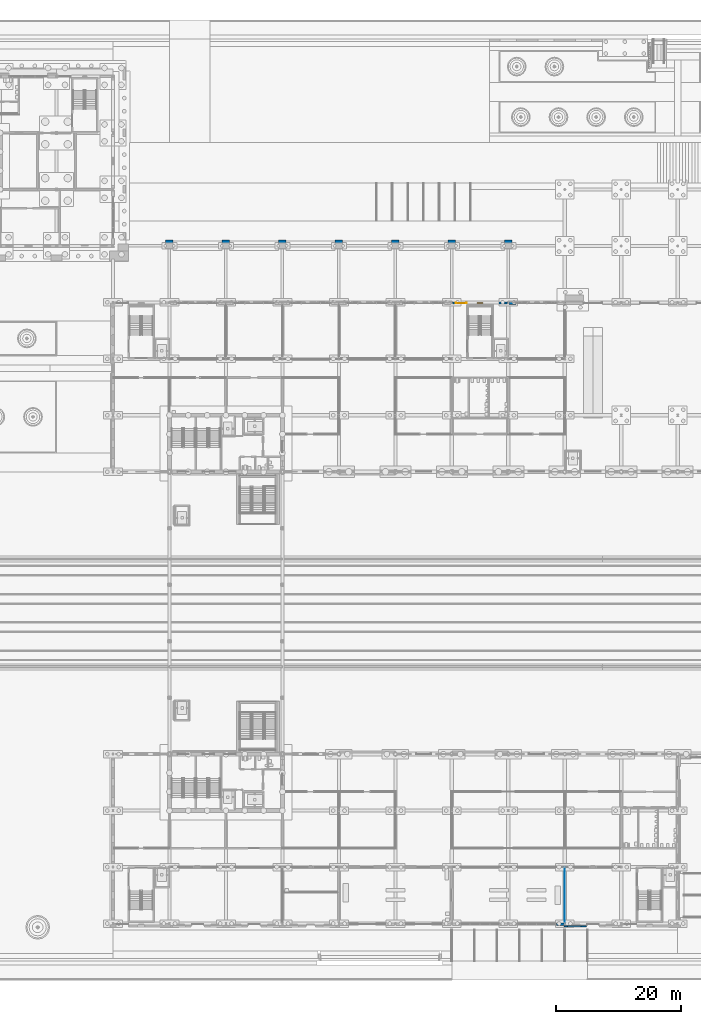
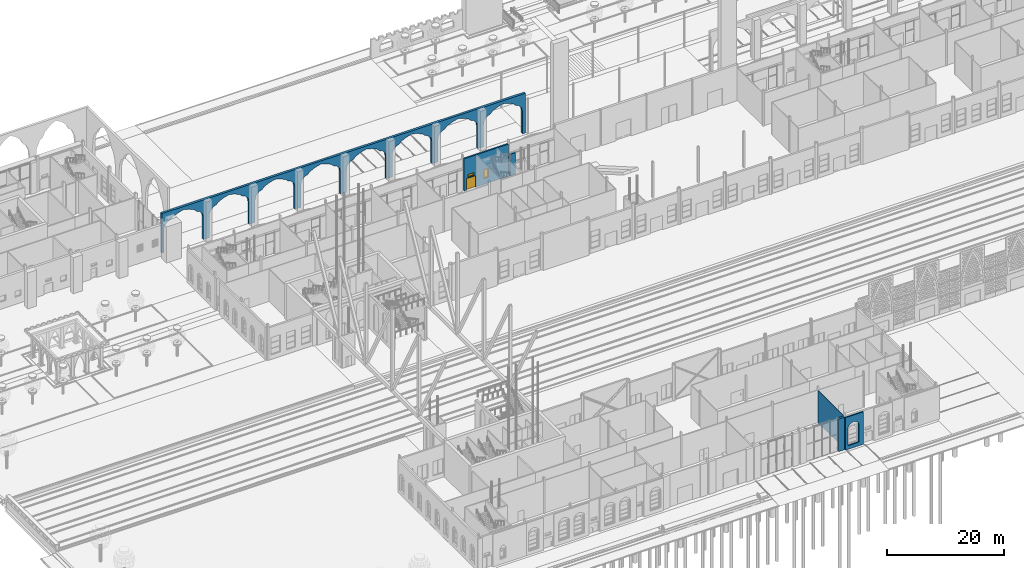
# One storey, part 113 of 250: 6 walls, 2 windows, 1 door, 3 openings.
"""IFC4 building model written with IfcOpenShell, lengths in metres."""

from ifc_helpers import new_model, si_unit, direction, frame, frame_2d, origin, place, context, subcontext, project, spatial, polyline, rectangle, outline, extrude, material, layer, layer_set, type_object, element, fill, save


model = new_model("IFC4")

# Units and contexts
model_context = context("Model", 3, precision=1e-05, world=origin(), true_north=direction((0.0, 1.0)))
body_context = subcontext(model_context, "Body", "Model", "MODEL_VIEW")
ifc_project = project(units=[si_unit("LENGTHUNIT", "METRE"), si_unit("AREAUNIT", "SQUARE_METRE"), si_unit("VOLUMEUNIT", "CUBIC_METRE"), si_unit("PLANEANGLEUNIT", "RADIAN"), si_unit("MASSUNIT", "GRAM", prefix="KILO")], contexts=[model_context])

# Site, building, storey
site_placement = place(None, origin())
site = spatial("IfcSite", under=ifc_project, at=site_placement, CompositionType="ELEMENT")
building_placement = place(site_placement, origin())
building = spatial("IfcBuilding", under=site, at=building_placement, Name="Baradari Gate Terminus", CompositionType="ELEMENT")
storey_placement = place(building_placement, origin())
storey = spatial("IfcBuildingStorey", under=building, at=storey_placement, Name="L00", CompositionType="ELEMENT", Elevation=0.0)

# Walls
ifc_material_1 = material(Name="Aluminium framed glazed partition", Category="aluminium")
ifc_layer_1 = layer(ifc_material_1, 0.074951171875)
ifc_layer_set_1 = layer_set([ifc_layer_1], Name="Aluminium framed glazed partition")
wall_type_1 = type_object("IfcWallType", Name="Kiosk partition PT-9 75 EI 60", PredefinedType="PARTITIONING", material=ifc_layer_set_1)
wall_1_placement = place(storey_placement, frame((135.0, 17.869873046875, 0.0), z_axis=(0.0, 0.0, 1.0), x_axis=(0.0, -1.0, 0.0)))
element("IfcWall", 1, at=wall_1_placement, inside=storey, type_object=wall_type_1, Name="PT-9 partition South Waiting Lounge / Parcel Counter", PredefinedType="PARTITIONING", context=body_context, shape_type="SweptSolid", body=[
    extrude(rectangle(XDim=8.742919921875, YDim=0.074951171875, at=frame_2d((4.37158203125, 0.0))), origin(), (0.0, 0.0, 1.0), 6.69189453125),
])
ifc_material_2 = material(Name="Laterite masonry", Category="masonry")
ifc_layer_2 = layer(ifc_material_2, 0.449951171875)
ifc_layer_set_2 = layer_set([ifc_layer_2], Name="Laterite masonry")
wall_type_2 = type_object("IfcWallType", Name="Laterite masonry pier WC-1 450", PredefinedType="SOLIDWALL", material=ifc_layer_set_2)
wall_2_placement = place(storey_placement, frame((126.128173828125, 107.87841796875, 0.0), z_axis=(0.0, 0.0, 1.0), x_axis=(1.0, 0.0, 0.0)))
element("IfcWall", 2, at=wall_2_placement, inside=storey, type_object=wall_type_2, Name="Stone-clad pier HN bay 14 L00", PredefinedType="SOLIDWALL", context=body_context, shape_type="SweptSolid", body=[
    extrude(rectangle(XDim=1.07177734375, YDim=0.449951171875, at=frame_2d((0.535888671875, 0.0))), origin(), (0.0, 0.0, 1.0), 4.5),
])
wall_3_placement = place(storey_placement, frame((133.672607421875, 8.880126953125, 0.0), z_axis=(0.0, 0.0, 1.0), x_axis=(1.0, 0.0, 0.0)))
element("IfcWall", 3, at=wall_3_placement, inside=storey, type_object=wall_type_2, Name="Stone-clad pier SS bay 15 L00", PredefinedType="SOLIDWALL", context=body_context, shape_type="SweptSolid", body=[
    extrude(rectangle(XDim=1.2001953125, YDim=0.449951171875, at=frame_2d((0.60009765625, 0.0))), origin(), (0.0, 0.0, 1.0), 6.767333984375),
])
wall_4_placement = place(storey_placement, frame((63.22509765625, 117.675048828125, 0.0), z_axis=(0.0, 0.0, 1.0), x_axis=(1.0, 0.0, 0.0)))
element("IfcWall", 4, at=wall_4_placement, inside=storey, type_object=wall_type_2, Name="Arcade front wall 1 1", PredefinedType="SOLIDWALL", context=body_context, shape_type="SweptSolid", body=[
    extrude(outline(polyline([(0.375, 0.0), (0.375, 4.60009765625), (0.531005859375, 5.43994140625), (1.155029296875, 6.159912109375), (1.700927734375, 6.340087890625), (2.1689453125, 6.820068359375), (3.18310546875, 7.300048828125), (4.27490234375, 7.60009765625), (5.366943359375, 7.300048828125), (6.381103515625, 6.820068359375), (6.84912109375, 6.340087890625), (7.39501953125, 6.159912109375), (8.01904296875, 5.43994140625), (8.175048828125, 4.60009765625), (8.175048828125, 0.0), (9.375, 0.0), (9.375, 4.60009765625), (9.531005859375, 5.43994140625), (10.155029296875, 6.159912109375), (10.700927734375, 6.340087890625), (11.1689453125, 6.820068359375), (12.18310546875, 7.300048828125), (13.27490234375, 7.60009765625), (14.366943359375, 7.300048828125), (15.381103515625, 6.820068359375), (15.84912109375, 6.340087890625), (16.39501953125, 6.159912109375), (17.01904296875, 5.43994140625), (17.175048828125, 4.60009765625), (17.175048828125, 0.0), (18.375, 0.0), (18.375, 4.60009765625), (18.531005859375, 5.43994140625), (19.155029296875, 6.159912109375), (19.700927734375, 6.340087890625), (20.1689453125, 6.820068359375), (21.18310546875, 7.300048828125), (22.27490234375, 7.60009765625), (23.366943359375, 7.300048828125), (24.381103515625, 6.820068359375), (24.84912109375, 6.340087890625), (25.39501953125, 6.159912109375), (26.01904296875, 5.43994140625), (26.175048828125, 4.60009765625), (26.175048828125, 0.0), (27.375, 0.0), (27.375, 4.60009765625), (27.531005859375, 5.43994140625), (28.155029296875, 6.159912109375), (28.700927734375, 6.340087890625), (29.1689453125, 6.820068359375), (30.18310546875, 7.300048828125), (31.27490234375, 7.60009765625), (32.366943359375, 7.300048828125), (33.381103515625, 6.820068359375), (33.84912109375, 6.340087890625), (34.39501953125, 6.159912109375), (35.01904296875, 5.43994140625), (35.175048828125, 4.60009765625), (35.175048828125, 0.0), (36.375, 0.0), (36.375, 4.60009765625), (36.531005859375, 5.43994140625), (37.155029296875, 6.159912109375), (37.700927734375, 6.340087890625), (38.1689453125, 6.820068359375), (39.18310546875, 7.300048828125), (40.27490234375, 7.60009765625), (41.366943359375, 7.300048828125), (42.381103515625, 6.820068359375), (42.84912109375, 6.340087890625), (43.39501953125, 6.159912109375), (44.01904296875, 5.43994140625), (44.175048828125, 4.60009765625), (44.175048828125, 0.0), (45.375, 0.0), (45.375, 4.60009765625), (45.531005859375, 5.43994140625), (46.155029296875, 6.159912109375), (46.700927734375, 6.340087890625), (47.1689453125, 6.820068359375), (48.18310546875, 7.300048828125), (49.27490234375, 7.60009765625), (50.366943359375, 7.300048828125), (51.381103515625, 6.820068359375), (51.84912109375, 6.340087890625), (52.39501953125, 6.159912109375), (53.01904296875, 5.43994140625), (53.175048828125, 4.60009765625), (53.175048828125, 0.0), (54.375, 0.0), (54.375, 4.60009765625), (54.531005859375, 5.43994140625), (55.155029296875, 6.159912109375), (55.700927734375, 6.340087890625), (56.1689453125, 6.820068359375), (57.18310546875, 7.300048828125), (58.27490234375, 7.60009765625), (59.366943359375, 7.300048828125), (60.381103515625, 6.820068359375), (60.84912109375, 6.340087890625), (61.39501953125, 6.159912109375), (62.01904296875, 5.43994140625), (62.175048828125, 4.60009765625), (62.175048828125, 0.0), (63.375, 0.0), (63.375, 4.60009765625), (63.527587890625, 5.43994140625), (64.137451171875, 6.159912109375), (64.67138671875, 6.340087890625), (65.128662109375, 6.820068359375), (66.1201171875, 7.300048828125), (67.1875, 7.60009765625), (68.2548828125, 7.300048828125), (69.246337890625, 6.820068359375), (69.70361328125, 6.340087890625), (70.237548828125, 6.159912109375), (70.847412109375, 5.43994140625), (71.0, 4.60009765625), (71.0, 0.0), (71.60009765625, 0.0), (71.60009765625, 8.25), (0.0, 8.25), (0.0, 0.0), (0.375, 0.0)])), frame((0.0, 0.22509765625, 0.0), z_axis=(0.0, -1.0, 0.0), x_axis=(1.0, 0.0, 0.0)), (0.0, 0.0, 1.0), 0.449951171875),
])
ifc_material_3 = material(Name="Laterite masonry", Category="masonry")
ifc_layer_3 = layer(ifc_material_3, 0.25)
ifc_layer_set_3 = layer_set([ifc_layer_3], Name="Laterite masonry")
wall_type_3 = type_object("IfcWallType", Name="Laterite masonry wall WP-1 250", PredefinedType="SOLIDWALL", material=ifc_layer_set_3)
wall_5_placement = place(storey_placement, frame((134.872802734375, 8.594970703125, 0.0), z_axis=(0.0, 0.0, 1.0), x_axis=(1.0, 0.0, 0.0)))
element("IfcWall", 5, at=wall_5_placement, inside=storey, type_object=wall_type_3, Name="Front course SS 3a 1", PredefinedType="SOLIDWALL", context=body_context, shape_type="SweptSolid", body=[
    extrude(outline(polyline([(0.0, 0.0), (3.577392578125, 0.0), (3.577392578125, 6.767333984375), (0.0, 6.767333984375), (0.0, 0.0)]), holes=[polyline([(0.577392578125, 0.75), (0.577392578125, 4.5), (0.619384765625, 4.751953125), (0.787353515625, 4.968017578125), (0.934326171875, 5.02197265625), (1.060302734375, 5.166015625), (1.333251953125, 5.31005859375), (1.627197265625, 5.39990234375), (1.92138671875, 5.31005859375), (2.1943359375, 5.166015625), (2.3203125, 5.02197265625), (2.46728515625, 4.968017578125), (2.63525390625, 4.751953125), (2.67724609375, 4.5), (2.67724609375, 0.75), (0.577392578125, 0.75)])]), frame((0.0, 0.125, 0.0), z_axis=(0.0, -1.0, 0.0), x_axis=(1.0, 0.0, 0.0)), (0.0, 0.0, 1.0), 0.25),
])

# Wall, openings, windows, door
ifc_material_4 = material(Name="Concrete C32/40", Category="concrete")
ifc_layer_4 = layer(ifc_material_4, 0.2)
ifc_material_5 = material(Name="Sandstone cladding", Category="masonry")
ifc_layer_5 = layer(ifc_material_5, 0.1)
ifc_layer_set_4 = layer_set([ifc_layer_4, ifc_layer_5], Name="Concrete C32/40")
wall_type_4 = type_object("IfcWallType", Name="Stair enclosure cladding wall WS-2 300", PredefinedType="SOLIDWALL", material=ifc_layer_set_4)
wall_6_placement = place(storey_placement, frame((117.128173828125, 107.87841796875, 0.0), z_axis=(0.0, 0.0, 1.0), x_axis=(1.0, 0.0, 0.0)))
wall_6 = element("IfcWall", 6, at=wall_6_placement, inside=storey, type_object=wall_type_4, Name="arcade HN bay 14 L00", PredefinedType="SOLIDWALL", context=body_context, shape_type="SweptSolid", body=[
    extrude(rectangle(XDim=8.74365234375, YDim=0.300048828125, at=frame_2d((4.371826171875, 0.0))), origin(), (0.0, 0.0, 1.0), 6.692138671875),
])
opening_1_placement = place(wall_6_placement, frame((0.471923828125, 0.0, 0.0)))
opening_1 = element("IfcOpeningElement", 7, at=opening_1_placement, cuts=wall_6, Name="Opening D00-019", PredefinedType="OPENING", context=body_context, shape_type="SweptSolid", body=[
    extrude(rectangle(XDim=1.800048828125, YDim=2.39990234375, at=frame_2d((0.89990234375, 1.199951171875))), frame((0.0, 0.159912109375, 0.0), z_axis=(0.0, -1.0, 0.0), x_axis=(1.0, 0.0, 0.0)), (0.0, 0.0, 1.0), 0.320068359375),
])
opening_2_placement = place(wall_6_placement, frame((0.771728515625, 0.0, 2.550048828125)))
opening_2 = element("IfcOpeningElement", 8, at=opening_2_placement, cuts=wall_6, Name="Opening W10", PredefinedType="OPENING", context=body_context, shape_type="SweptSolid", body=[
    extrude(rectangle(XDim=1.199951171875, YDim=0.60009765625, at=frame_2d((0.60009765625, 0.300048828125))), frame((0.0, 0.159912109375, 0.0), z_axis=(0.0, -1.0, 0.0), x_axis=(1.0, 0.0, 0.0)), (0.0, 0.0, 1.0), 0.320068359375),
])
opening_3_placement = place(wall_6_placement, frame((3.921875, 0.0, 1.199951171875)))
opening_3 = element("IfcOpeningElement", 9, at=opening_3_placement, cuts=wall_6, Name="Opening W6", PredefinedType="OPENING", context=body_context, shape_type="SweptSolid", body=[
    extrude(rectangle(XDim=0.89990234375, YDim=1.800048828125, at=frame_2d((0.449951171875, 0.89990234375))), frame((0.0, 0.159912109375, 0.0), z_axis=(0.0, -1.0, 0.0), x_axis=(1.0, 0.0, 0.0)), (0.0, 0.0, 1.0), 0.320068359375),
])
ifc_material_6 = material(Name="Aluminium 6063-T6", Category="aluminium")
window_type_1 = type_object("IfcWindowType", Name="Door fanlight W10 1200x600", PartitioningType="SINGLE_PANEL", PredefinedType="WINDOW", material=ifc_material_6)
window_1_placement = place(opening_2_placement, origin())
window_1 = element("IfcWindow", 10, at=window_1_placement, inside=storey, type_object=window_type_1, Name="Fanlight over Corridor (Stair Passage)", OverallHeight=0.6, OverallWidth=1.2, PartitioningType="SINGLE_PANEL", PredefinedType="WINDOW", context=body_context, shape_type="SweptSolid", body=[
    extrude(outline(polyline([(0.0, 0.0), (1.199951171875, 0.0), (1.199951171875, 0.60009765625), (0.0, 0.60009765625), (0.0, 0.0)]), holes=[polyline([(0.070068359375, 0.070068359375), (1.1298828125, 0.070068359375), (1.1298828125, 0.530029296875), (0.070068359375, 0.530029296875), (0.070068359375, 0.070068359375)])]), frame((0.0, 0.030029296875, 0.0), z_axis=(0.0, -1.0, 0.0), x_axis=(1.0, 0.0, 0.0)), (0.0, 0.0, 1.0), 0.06005859375),
    extrude(outline(polyline([(0.070068359375, 0.070068359375), (1.1298828125, 0.070068359375), (1.1298828125, 0.530029296875), (0.070068359375, 0.530029296875), (0.070068359375, 0.070068359375)]), holes=[polyline([(0.10009765625, 0.10009765625), (1.099853515625, 0.10009765625), (1.099853515625, 0.5), (0.10009765625, 0.5), (0.10009765625, 0.10009765625)])]), frame((0.0, 0.0224609375, 0.0), z_axis=(0.0, -1.0, 0.0), x_axis=(1.0, 0.0, 0.0)), (0.0, 0.0, 1.0), 0.044921875),
    extrude(rectangle(XDim=0.999755859375, YDim=0.39990234375, at=frame_2d((0.60009765625, 0.300048828125))), frame((0.0, 0.006103515625, 0.0), z_axis=(0.0, -1.0, 0.0), x_axis=(1.0, 0.0, 0.0)), (0.0, 0.0, 1.0), 0.01220703125),
])
fill(opening_2, window_1)
ifc_material_7 = material(Name="Steel S235", Category="steel")
door_type = type_object("IfcDoorType", Name="Stair exit door pair, steel DT-4 1800x2400", OperationType="DOUBLE_DOOR_SINGLE_SWING", PredefinedType="DOOR", material=ifc_material_7)
door_placement = place(opening_1_placement, origin())
door = element("IfcDoor", 11, at=door_placement, inside=storey, type_object=door_type, Name="Exit door Corridor (Stair Passage)", OperationType="DOUBLE_DOOR_SINGLE_SWING", OverallHeight=2.4, OverallWidth=1.8, PredefinedType="DOOR", context=body_context, shape_type="SweptSolid", body=[
    extrude(outline(polyline([(0.0, 0.0), (0.070068359375, 0.0), (0.070068359375, 2.329833984375), (1.72998046875, 2.329833984375), (1.72998046875, 0.0), (1.800048828125, 0.0), (1.800048828125, 2.39990234375), (0.0, 2.39990234375), (0.0, 0.0)])), frame((0.0, 0.02490234375, 0.0), z_axis=(0.0, -1.0, 0.0), x_axis=(1.0, 0.0, 0.0)), (0.0, 0.0, 1.0), 0.050048828125),
    extrude(outline(polyline([(0.073974609375, 0.010009765625), (0.89697265625, 0.010009765625), (0.89697265625, 2.325927734375), (0.073974609375, 2.325927734375), (0.073974609375, 0.010009765625)]), holes=[polyline([(0.194091796875, 0.159912109375), (0.77685546875, 0.159912109375), (0.77685546875, 1.010009765625), (0.194091796875, 1.010009765625), (0.194091796875, 0.159912109375)]), polyline([(0.33544921875, 1.159912109375), (0.635498046875, 1.159912109375), (0.635498046875, 1.760009765625), (0.33544921875, 1.760009765625), (0.33544921875, 1.159912109375)])]), frame((0.0, 0.017333984375, 0.0), z_axis=(0.0, -1.0, 0.0), x_axis=(1.0, 0.0, 0.0)), (0.0, 0.0, 1.0), 0.034912109375),
    extrude(rectangle(XDim=0.582763671875, YDim=0.85009765625, at=frame_2d((0.4853515625, 0.5849609375))), frame((0.0, 0.008544921875, 0.0), z_axis=(0.0, -1.0, 0.0), x_axis=(1.0, 0.0, 0.0)), (0.0, 0.0, 1.0), 0.017333984375),
    extrude(rectangle(XDim=0.300048828125, YDim=0.60009765625, at=frame_2d((0.4853515625, 1.4599609375))), frame((0.0, 0.005859375, 0.0), z_axis=(0.0, -1.0, 0.0), x_axis=(1.0, 0.0, 0.0)), (0.0, 0.0, 1.0), 0.011962890625),
    extrude(outline(polyline([(0.903076171875, 0.010009765625), (1.72607421875, 0.010009765625), (1.72607421875, 2.325927734375), (0.903076171875, 2.325927734375), (0.903076171875, 0.010009765625)]), holes=[polyline([(1.023193359375, 0.159912109375), (1.60595703125, 0.159912109375), (1.60595703125, 1.010009765625), (1.023193359375, 1.010009765625), (1.023193359375, 0.159912109375)]), polyline([(1.16455078125, 1.159912109375), (1.464599609375, 1.159912109375), (1.464599609375, 1.760009765625), (1.16455078125, 1.760009765625), (1.16455078125, 1.159912109375)])]), frame((0.0, 0.017333984375, 0.0), z_axis=(0.0, -1.0, 0.0), x_axis=(1.0, 0.0, 0.0)), (0.0, 0.0, 1.0), 0.034912109375),
    extrude(rectangle(XDim=0.582763671875, YDim=0.85009765625, at=frame_2d((1.314453125, 0.5849609375))), frame((0.0, 0.008544921875, 0.0), z_axis=(0.0, -1.0, 0.0), x_axis=(1.0, 0.0, 0.0)), (0.0, 0.0, 1.0), 0.017333984375),
    extrude(rectangle(XDim=0.300048828125, YDim=0.60009765625, at=frame_2d((1.314453125, 1.4599609375))), frame((0.0, 0.005859375, 0.0), z_axis=(0.0, -1.0, 0.0), x_axis=(1.0, 0.0, 0.0)), (0.0, 0.0, 1.0), 0.011962890625),
])
fill(opening_1, door)
ifc_material_8 = material(Name="Aluminium 6063-T6", Category="aluminium")
window_type_2 = type_object("IfcWindowType", Name="Stair light W6 900x1800", PartitioningType="SINGLE_PANEL", PredefinedType="WINDOW", material=ifc_material_8)
window_2_placement = place(opening_3_placement, origin())
window_2 = element("IfcWindow", 12, at=window_2_placement, inside=storey, type_object=window_type_2, Name="Window W6 HN/13", OverallHeight=1.8, OverallWidth=0.9, PartitioningType="SINGLE_PANEL", PredefinedType="WINDOW", context=body_context, shape_type="SweptSolid", body=[
    extrude(outline(polyline([(0.0, 0.0), (0.89990234375, 0.0), (0.89990234375, 1.800048828125), (0.0, 1.800048828125), (0.0, 0.0)]), holes=[polyline([(0.070068359375, 0.070068359375), (0.829833984375, 0.070068359375), (0.829833984375, 1.72998046875), (0.070068359375, 1.72998046875), (0.070068359375, 0.070068359375)])]), frame((0.0, 0.030029296875, 0.0), z_axis=(0.0, -1.0, 0.0), x_axis=(1.0, 0.0, 0.0)), (0.0, 0.0, 1.0), 0.06005859375),
    extrude(outline(polyline([(0.070068359375, 0.070068359375), (0.829833984375, 0.070068359375), (0.829833984375, 1.72998046875), (0.070068359375, 1.72998046875), (0.070068359375, 0.070068359375)]), holes=[polyline([(0.10009765625, 0.10009765625), (0.7998046875, 0.10009765625), (0.7998046875, 1.699951171875), (0.10009765625, 1.699951171875), (0.10009765625, 0.10009765625)])]), frame((0.0, 0.0224609375, 0.0), z_axis=(0.0, -1.0, 0.0), x_axis=(1.0, 0.0, 0.0)), (0.0, 0.0, 1.0), 0.044921875),
    extrude(rectangle(XDim=0.69970703125, YDim=1.599853515625, at=frame_2d((0.449951171875, 0.89990234375))), frame((0.0, 0.006103515625, 0.0), z_axis=(0.0, -1.0, 0.0), x_axis=(1.0, 0.0, 0.0)), (0.0, 0.0, 1.0), 0.01220703125),
])
fill(opening_3, window_2)

save(model, "model.ifc")
